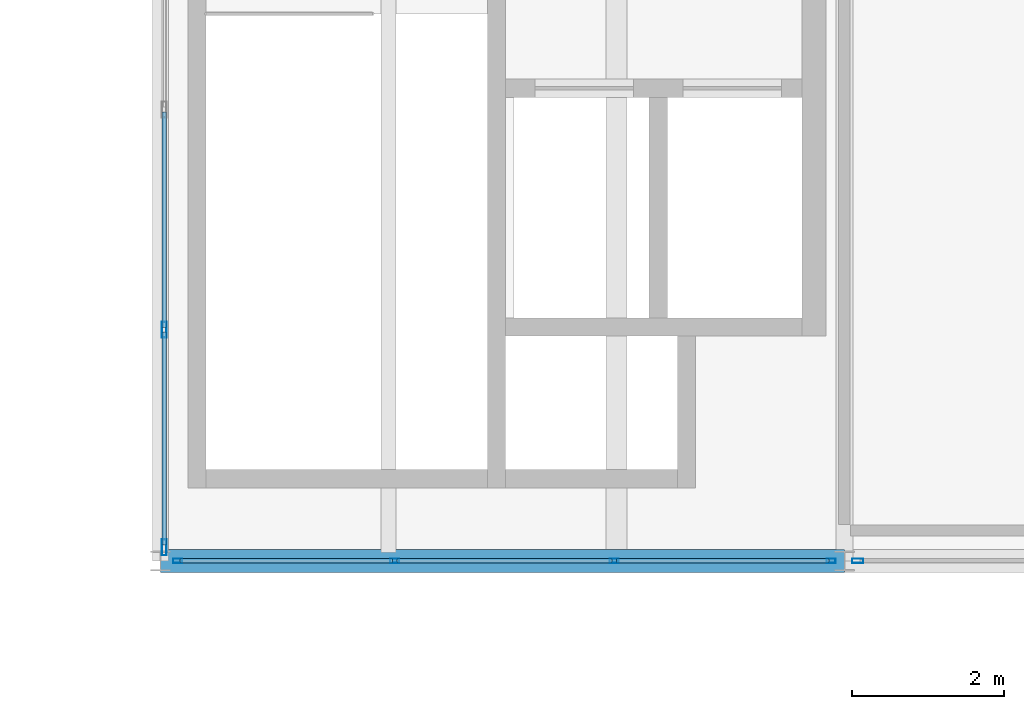
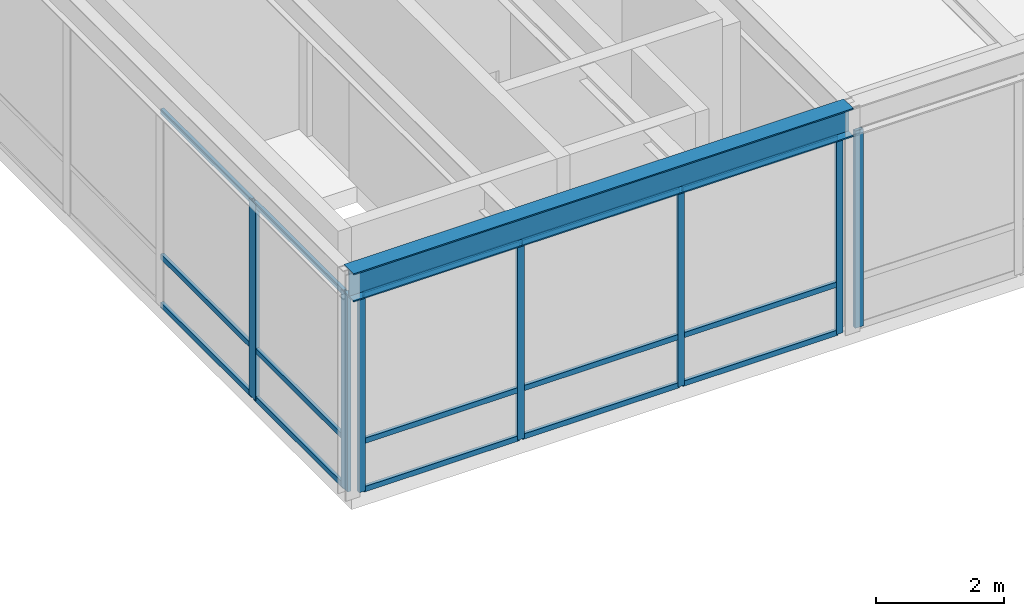
# One storey, part 20 of 67: 22 members, 1 beam, 3 elements without a shape of their own.
"""IFC4 building model written with IfcOpenShell, lengths in metres."""

from ifc_helpers import new_model, si_unit, direction, frame, origin, origin_2d, place, context, subcontext, project, spatial, hollow_rectangle, i_section, extrude, material, layer, layer_set, material_profile, profile_set, type_object, element, aggregate, save


model = new_model("IFC4")

# Units and contexts
model_context = context("Model", 3, precision=1e-05, world=origin(), true_north=direction((0.0, 1.0)))
body_context = subcontext(model_context, "Body", "Model", "MODEL_VIEW")
ifc_project = project(units=[si_unit("LENGTHUNIT", "METRE"), si_unit("AREAUNIT", "SQUARE_METRE"), si_unit("VOLUMEUNIT", "CUBIC_METRE"), si_unit("PLANEANGLEUNIT", "RADIAN"), si_unit("MASSUNIT", "GRAM", prefix="KILO")], contexts=[model_context])

# Site, building, storey
site_placement = place(None, origin())
site = spatial("IfcSite", under=ifc_project, at=site_placement, CompositionType="ELEMENT")
building_placement = place(site_placement, origin())
building = spatial("IfcBuilding", under=site, at=building_placement, Name="Montelvaro Courts of Justice", CompositionType="ELEMENT")
storey_placement = place(building_placement, frame((0.0, 0.0, 18.89990234375)))
storey = spatial("IfcBuildingStorey", under=building, at=storey_placement, Name="L04", CompositionType="ELEMENT", Elevation=18.89990234375)

# Beam
ifc_material_1 = material(Name="Steel S355", Category="steel")
ifc_material_profile_1 = material_profile(ifc_material_1, i_section(OverallWidth=0.300048828125, OverallDepth=0.5400390625, WebThickness=0.012451171875, FlangeThickness=0.02392578125, at=origin_2d()), Name="HEA 550")
ifc_profile_set_1 = profile_set([ifc_material_profile_1], Name="Steel S355")
beam_type = type_object("IfcBeamType", Name="Beam_HEA550", PredefinedType="USERDEFINED", material=ifc_profile_set_1)
beam_placement = place(storey_placement, frame((99.0, 66.0, 4.030029296875), z_axis=(1.0, 0.0, 0.0), x_axis=(0.0, 1.0, 0.0)))
element("IfcBeam", 1, at=beam_placement, inside=storey, type_object=beam_type, Name="Beam B-20 L04", ObjectType="GIRDER", PredefinedType="USERDEFINED", context=body_context, shape_type="SweptSolid", body=[
    extrude(i_section(OverallWidth=0.300048828125, OverallDepth=0.5400390625, WebThickness=0.012451171875, FlangeThickness=0.02392578125, at=origin_2d()), origin(), (0.0, 0.0, 1.0), 9.0),
])

# Curtain wall, members
ifc_material_2 = material(Name="Anodised aluminium EN AW-6063", Category="aluminium")
ifc_layer_1 = layer(ifc_material_2, 0.159912109375)
ifc_layer_set_1 = layer_set([ifc_layer_1], Name="Anodised aluminium EN AW-6063")
curtain_wall_type_1 = type_object("IfcCurtainWallType", Name="CurtainWall_14_867x418", PredefinedType="USERDEFINED", material=ifc_layer_set_1)
curtain_wall_1_placement = place(storey_placement, origin())
curtain_wall_1 = element("IfcCurtainWall", 2, at=curtain_wall_1_placement, inside=storey, type_object=curtain_wall_type_1, Name="Curtain Wall CW-14 (L04)", ObjectType="CURTAIN WALL", PredefinedType="USERDEFINED")
ifc_material_profile_2 = material_profile(ifc_material_2, hollow_rectangle(XDim=0.06005859375, YDim=0.1201171875, WallThickness=0.00341796875, at=origin_2d()), Name="ALU-M 60x120")
ifc_profile_set_2 = profile_set([ifc_material_profile_2], Name="Anodised aluminium EN AW-6063")
member_type_1 = type_object("IfcMemberType", Name="CurtainWall_Mullion_60x120", PredefinedType="MULLION", material=ifc_profile_set_2)
member_1_placement = place(storey_placement, frame((99.22509765625, 66.0, 0.0), z_axis=(0.0, 0.0, 1.0), x_axis=(0.0, 1.0, 0.0)))
member_1 = element("IfcMember", 3, at=member_1_placement, type_object=member_type_1, Name="CW-14 mullion 1", PredefinedType="MULLION", context=body_context, shape_type="SweptSolid", body=[
    extrude(hollow_rectangle(XDim=0.06005859375, YDim=0.1201171875, WallThickness=0.00341796875, at=origin_2d()), origin(), (0.0, 0.0, 1.0), 3.755126953125),
])
member_2_placement = place(storey_placement, frame((102.081787109375, 66.0, 0.0), z_axis=(0.0, 0.0, 1.0), x_axis=(0.0, 1.0, 0.0)))
member_2 = element("IfcMember", 4, at=member_2_placement, type_object=member_type_1, Name="CW-14 mullion 2", PredefinedType="MULLION", context=body_context, shape_type="SweptSolid", body=[
    extrude(hollow_rectangle(XDim=0.06005859375, YDim=0.1201171875, WallThickness=0.00341796875, at=origin_2d()), origin(), (0.0, 0.0, 1.0), 3.755126953125),
])
member_3_placement = place(storey_placement, frame((104.96826171875, 66.0, 0.0), z_axis=(0.0, 0.0, 1.0), x_axis=(0.0, 1.0, 0.0)))
member_3 = element("IfcMember", 5, at=member_3_placement, type_object=member_type_1, Name="CW-14 mullion 3", PredefinedType="MULLION", context=body_context, shape_type="SweptSolid", body=[
    extrude(hollow_rectangle(XDim=0.06005859375, YDim=0.1201171875, WallThickness=0.00341796875, at=origin_2d()), origin(), (0.0, 0.0, 1.0), 3.755126953125),
])
member_4_placement = place(storey_placement, frame((107.824951171875, 66.0, 0.0), z_axis=(0.0, 0.0, 1.0), x_axis=(0.0, 1.0, 0.0)))
member_4 = element("IfcMember", 6, at=member_4_placement, type_object=member_type_1, Name="CW-14 mullion 4", PredefinedType="MULLION", context=body_context, shape_type="SweptSolid", body=[
    extrude(hollow_rectangle(XDim=0.06005859375, YDim=0.1201171875, WallThickness=0.00341796875, at=origin_2d()), origin(), (0.0, 0.0, 1.0), 3.755126953125),
])

# Curtain wall, member
ifc_layer_2 = layer(ifc_material_2, 0.159912109375)
ifc_layer_set_2 = layer_set([ifc_layer_2], Name="Anodised aluminium EN AW-6063")
curtain_wall_type_2 = type_object("IfcCurtainWallType", Name="CurtainWall_18_868x418", PredefinedType="USERDEFINED", material=ifc_layer_set_2)
curtain_wall_2_placement = place(storey_placement, origin())
curtain_wall_2 = element("IfcCurtainWall", 7, at=curtain_wall_2_placement, inside=storey, type_object=curtain_wall_type_2, Name="Curtain Wall CW-18 (L04)", ObjectType="CURTAIN WALL", PredefinedType="USERDEFINED")
ifc_material_profile_3 = material_profile(ifc_material_2, hollow_rectangle(XDim=0.06005859375, YDim=0.14990234375, WallThickness=0.00390625, at=origin_2d()), Name="ALU-M 60x150")
ifc_profile_set_3 = profile_set([ifc_material_profile_3], Name="Anodised aluminium EN AW-6063")
member_type_2 = type_object("IfcMemberType", Name="CurtainWall_Mullion_60x150", PredefinedType="MULLION", material=ifc_profile_set_3)
member_5_placement = place(storey_placement, frame((108.175048828125, 66.0, 0.0), z_axis=(0.0, 0.0, 1.0), x_axis=(0.0, 1.0, 0.0)))
member_5 = element("IfcMember", 8, at=member_5_placement, type_object=member_type_2, Name="CW-18 mullion 1", PredefinedType="MULLION", context=body_context, shape_type="SweptSolid", body=[
    extrude(hollow_rectangle(XDim=0.06005859375, YDim=0.14990234375, WallThickness=0.00390625, at=origin_2d()), origin(), (0.0, 0.0, 1.0), 3.755126953125),
])
aggregate(curtain_wall_2, [member_5])

# Curtain wall, members
ifc_layer_3 = layer(ifc_material_2, 0.159912109375)
ifc_layer_set_3 = layer_set([ifc_layer_3], Name="Anodised aluminium EN AW-6063")
curtain_wall_type_3 = type_object("IfcCurtainWallType", Name="CurtainWall_19_1159x418", PredefinedType="USERDEFINED", material=ifc_layer_set_3)
curtain_wall_3_placement = place(storey_placement, origin())
curtain_wall_3 = element("IfcCurtainWall", 9, at=curtain_wall_3_placement, inside=storey, type_object=curtain_wall_type_3, Name="Curtain Wall CW-19 (L04)", ObjectType="CURTAIN WALL", PredefinedType="USERDEFINED")
ifc_material_profile_4 = material_profile(ifc_material_2, hollow_rectangle(XDim=0.06494140625, YDim=0.2099609375, WallThickness=0.0048828125, at=origin_2d()), Name="ALU-M 65x210")
ifc_profile_set_4 = profile_set([ifc_material_profile_4], Name="Anodised aluminium EN AW-6063")
member_type_3 = type_object("IfcMemberType", Name="CurtainWall_Mullion_65x210", PredefinedType="MULLION", material=ifc_profile_set_4)
member_6_placement = place(storey_placement, frame((99.050048828125, 69.04248046875, 0.0), z_axis=(0.0, 0.0, 1.0), x_axis=(1.0, 0.0, 0.0)))
member_6 = element("IfcMember", 10, at=member_6_placement, type_object=member_type_3, Name="CW-19 mullion 4", PredefinedType="MULLION", context=body_context, shape_type="SweptSolid", body=[
    extrude(hollow_rectangle(XDim=0.06494140625, YDim=0.2099609375, WallThickness=0.0048828125, at=origin_2d()), origin(), (0.0, 0.0, 1.0), 3.7451171875),
])
member_7_placement = place(storey_placement, frame((99.050048828125, 66.177490234375, 0.0), z_axis=(0.0, 0.0, 1.0), x_axis=(1.0, 0.0, 0.0)))
member_7 = element("IfcMember", 11, at=member_7_placement, type_object=member_type_3, Name="CW-19 mullion 5", PredefinedType="MULLION", context=body_context, shape_type="SweptSolid", body=[
    extrude(hollow_rectangle(XDim=0.06494140625, YDim=0.2099609375, WallThickness=0.0048828125, at=origin_2d()), origin(), (0.0, 0.0, 1.0), 3.7451171875),
])

# Member
ifc_material_profile_5 = material_profile(ifc_material_2, hollow_rectangle(XDim=0.06005859375, YDim=0.10009765625, WallThickness=0.00341796875, at=origin_2d()), Name="ALU-T 60x100")
ifc_profile_set_5 = profile_set([ifc_material_profile_5], Name="Anodised aluminium EN AW-6063")
member_type_4 = type_object("IfcMemberType", Name="CurtainWall_Transom_60x100", PredefinedType="USERDEFINED", material=ifc_profile_set_5)
member_8_placement = place(storey_placement, frame((99.2548828125, 66.0, 0.030029296875), z_axis=(1.0, 0.0, 0.0), x_axis=(0.0, 1.0, 0.0)))
member_8 = element("IfcMember", 12, at=member_8_placement, type_object=member_type_4, Name="CW-14 transom 1.1", ObjectType="TRANSOM", PredefinedType="USERDEFINED", context=body_context, shape_type="SweptSolid", body=[
    extrude(hollow_rectangle(XDim=0.06005859375, YDim=0.10009765625, WallThickness=0.00341796875, at=origin_2d()), origin(), (0.0, 0.0, 1.0), 2.796875),
])

member_9_placement = place(storey_placement, frame((99.2548828125, 66.0, 0.9501953125), z_axis=(1.0, 0.0, 0.0), x_axis=(0.0, 1.0, 0.0)))
member_9 = element("IfcMember", 13, at=member_9_placement, type_object=member_type_4, Name="CW-14 transom 1.2", ObjectType="TRANSOM", PredefinedType="USERDEFINED", context=body_context, shape_type="SweptSolid", body=[
    extrude(hollow_rectangle(XDim=0.06005859375, YDim=0.10009765625, WallThickness=0.00341796875, at=origin_2d()), origin(), (0.0, 0.0, 1.0), 2.796875),
])

member_10_placement = place(storey_placement, frame((99.2548828125, 66.0, 3.72509765625), z_axis=(1.0, 0.0, 0.0), x_axis=(0.0, 1.0, 0.0)))
member_10 = element("IfcMember", 14, at=member_10_placement, type_object=member_type_4, Name="CW-14 transom 1.3", ObjectType="TRANSOM", PredefinedType="USERDEFINED", context=body_context, shape_type="SweptSolid", body=[
    extrude(hollow_rectangle(XDim=0.06005859375, YDim=0.10009765625, WallThickness=0.00341796875, at=origin_2d()), origin(), (0.0, 0.0, 1.0), 2.796875),
])

member_11_placement = place(storey_placement, frame((102.111572265625, 66.0, 0.030029296875), z_axis=(1.0, 0.0, 0.0), x_axis=(0.0, 1.0, 0.0)))
member_11 = element("IfcMember", 15, at=member_11_placement, type_object=member_type_4, Name="CW-14 transom 2.1", ObjectType="TRANSOM", PredefinedType="USERDEFINED", context=body_context, shape_type="SweptSolid", body=[
    extrude(hollow_rectangle(XDim=0.06005859375, YDim=0.10009765625, WallThickness=0.00341796875, at=origin_2d()), origin(), (0.0, 0.0, 1.0), 2.82666015625),
])

member_12_placement = place(storey_placement, frame((102.111572265625, 66.0, 0.9501953125), z_axis=(1.0, 0.0, 0.0), x_axis=(0.0, 1.0, 0.0)))
member_12 = element("IfcMember", 16, at=member_12_placement, type_object=member_type_4, Name="CW-14 transom 2.2", ObjectType="TRANSOM", PredefinedType="USERDEFINED", context=body_context, shape_type="SweptSolid", body=[
    extrude(hollow_rectangle(XDim=0.06005859375, YDim=0.10009765625, WallThickness=0.00341796875, at=origin_2d()), origin(), (0.0, 0.0, 1.0), 2.82666015625),
])

member_13_placement = place(storey_placement, frame((102.111572265625, 66.0, 3.72509765625), z_axis=(1.0, 0.0, 0.0), x_axis=(0.0, 1.0, 0.0)))
member_13 = element("IfcMember", 17, at=member_13_placement, type_object=member_type_4, Name="CW-14 transom 2.3", ObjectType="TRANSOM", PredefinedType="USERDEFINED", context=body_context, shape_type="SweptSolid", body=[
    extrude(hollow_rectangle(XDim=0.06005859375, YDim=0.10009765625, WallThickness=0.00341796875, at=origin_2d()), origin(), (0.0, 0.0, 1.0), 2.82666015625),
])

member_14_placement = place(storey_placement, frame((104.998291015625, 66.0, 0.030029296875), z_axis=(1.0, 0.0, 0.0), x_axis=(0.0, 1.0, 0.0)))
member_14 = element("IfcMember", 18, at=member_14_placement, type_object=member_type_4, Name="CW-14 transom 3.1", ObjectType="TRANSOM", PredefinedType="USERDEFINED", context=body_context, shape_type="SweptSolid", body=[
    extrude(hollow_rectangle(XDim=0.06005859375, YDim=0.10009765625, WallThickness=0.00341796875, at=origin_2d()), origin(), (0.0, 0.0, 1.0), 2.796630859375),
])

member_15_placement = place(storey_placement, frame((104.998291015625, 66.0, 0.9501953125), z_axis=(1.0, 0.0, 0.0), x_axis=(0.0, 1.0, 0.0)))
member_15 = element("IfcMember", 19, at=member_15_placement, type_object=member_type_4, Name="CW-14 transom 3.2", ObjectType="TRANSOM", PredefinedType="USERDEFINED", context=body_context, shape_type="SweptSolid", body=[
    extrude(hollow_rectangle(XDim=0.06005859375, YDim=0.10009765625, WallThickness=0.00341796875, at=origin_2d()), origin(), (0.0, 0.0, 1.0), 2.796630859375),
])

member_16_placement = place(storey_placement, frame((104.998291015625, 66.0, 3.72509765625), z_axis=(1.0, 0.0, 0.0), x_axis=(0.0, 1.0, 0.0)))
member_16 = element("IfcMember", 20, at=member_16_placement, type_object=member_type_4, Name="CW-14 transom 3.3", ObjectType="TRANSOM", PredefinedType="USERDEFINED", context=body_context, shape_type="SweptSolid", body=[
    extrude(hollow_rectangle(XDim=0.06005859375, YDim=0.10009765625, WallThickness=0.00341796875, at=origin_2d()), origin(), (0.0, 0.0, 1.0), 2.796630859375),
])

aggregate(curtain_wall_1, [member_1, member_2, member_3, member_4, member_8, member_9, member_10, member_11, member_12, member_13, member_14, member_15, member_16])

member_17_placement = place(storey_placement, frame((99.050048828125, 71.907470703125, 0.030029296875), z_axis=(0.0, -1.0, 0.0), x_axis=(1.0, 0.0, 0.0)))
member_17 = element("IfcMember", 21, at=member_17_placement, type_object=member_type_4, Name="CW-19 transom 3.1", ObjectType="TRANSOM", PredefinedType="USERDEFINED", context=body_context, shape_type="SweptSolid", body=[
    extrude(hollow_rectangle(XDim=0.06005859375, YDim=0.10009765625, WallThickness=0.00341796875, at=origin_2d()), origin(), (0.0, 0.0, 1.0), 2.83251953125),
])

member_18_placement = place(storey_placement, frame((99.050048828125, 71.907470703125, 0.9501953125), z_axis=(0.0, -1.0, 0.0), x_axis=(1.0, 0.0, 0.0)))
member_18 = element("IfcMember", 22, at=member_18_placement, type_object=member_type_4, Name="CW-19 transom 3.2", ObjectType="TRANSOM", PredefinedType="USERDEFINED", context=body_context, shape_type="SweptSolid", body=[
    extrude(hollow_rectangle(XDim=0.06005859375, YDim=0.10009765625, WallThickness=0.00341796875, at=origin_2d()), origin(), (0.0, 0.0, 1.0), 2.83251953125),
])

member_19_placement = place(storey_placement, frame((99.050048828125, 71.907470703125, 3.715087890625), z_axis=(0.0, -1.0, 0.0), x_axis=(1.0, 0.0, 0.0)))
member_19 = element("IfcMember", 23, at=member_19_placement, type_object=member_type_4, Name="CW-19 transom 3.3", ObjectType="TRANSOM", PredefinedType="USERDEFINED", context=body_context, shape_type="SweptSolid", body=[
    extrude(hollow_rectangle(XDim=0.06005859375, YDim=0.10009765625, WallThickness=0.00341796875, at=origin_2d()), origin(), (0.0, 0.0, 1.0), 2.83251953125),
])

member_20_placement = place(storey_placement, frame((99.050048828125, 69.010009765625, 0.030029296875), z_axis=(0.0, -1.0, 0.0), x_axis=(1.0, 0.0, 0.0)))
member_20 = element("IfcMember", 24, at=member_20_placement, type_object=member_type_4, Name="CW-19 transom 4.1", ObjectType="TRANSOM", PredefinedType="USERDEFINED", context=body_context, shape_type="SweptSolid", body=[
    extrude(hollow_rectangle(XDim=0.06005859375, YDim=0.10009765625, WallThickness=0.00341796875, at=origin_2d()), origin(), (0.0, 0.0, 1.0), 2.800048828125),
])

member_21_placement = place(storey_placement, frame((99.050048828125, 69.010009765625, 0.9501953125), z_axis=(0.0, -1.0, 0.0), x_axis=(1.0, 0.0, 0.0)))
member_21 = element("IfcMember", 25, at=member_21_placement, type_object=member_type_4, Name="CW-19 transom 4.2", ObjectType="TRANSOM", PredefinedType="USERDEFINED", context=body_context, shape_type="SweptSolid", body=[
    extrude(hollow_rectangle(XDim=0.06005859375, YDim=0.10009765625, WallThickness=0.00341796875, at=origin_2d()), origin(), (0.0, 0.0, 1.0), 2.800048828125),
])

member_22_placement = place(storey_placement, frame((99.050048828125, 69.010009765625, 3.715087890625), z_axis=(0.0, -1.0, 0.0), x_axis=(1.0, 0.0, 0.0)))
member_22 = element("IfcMember", 26, at=member_22_placement, type_object=member_type_4, Name="CW-19 transom 4.3", ObjectType="TRANSOM", PredefinedType="USERDEFINED", context=body_context, shape_type="SweptSolid", body=[
    extrude(hollow_rectangle(XDim=0.06005859375, YDim=0.10009765625, WallThickness=0.00341796875, at=origin_2d()), origin(), (0.0, 0.0, 1.0), 2.800048828125),
])

aggregate(curtain_wall_3, [member_6, member_7, member_17, member_18, member_19, member_20, member_21, member_22])

save(model, "model.ifc")
